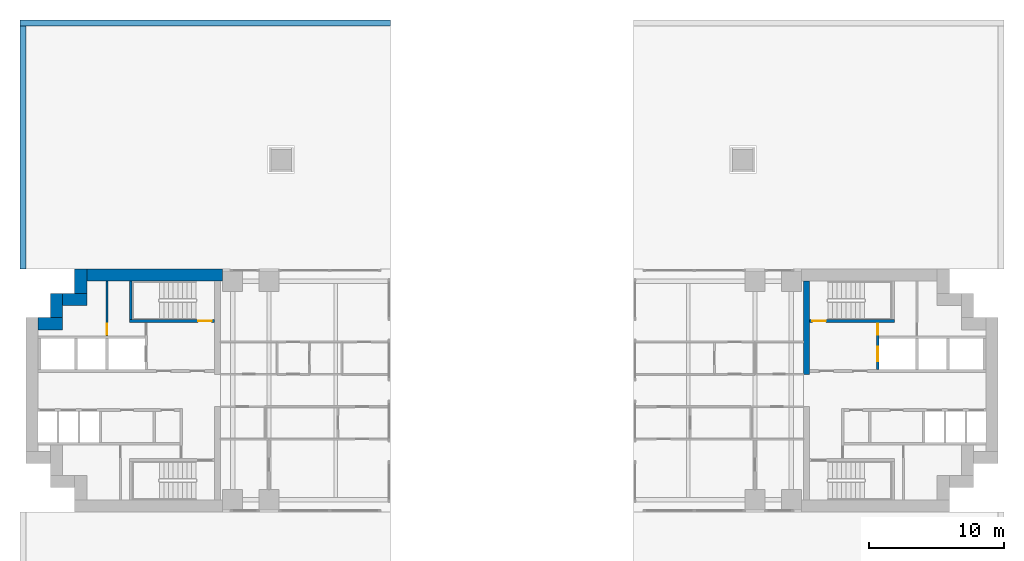
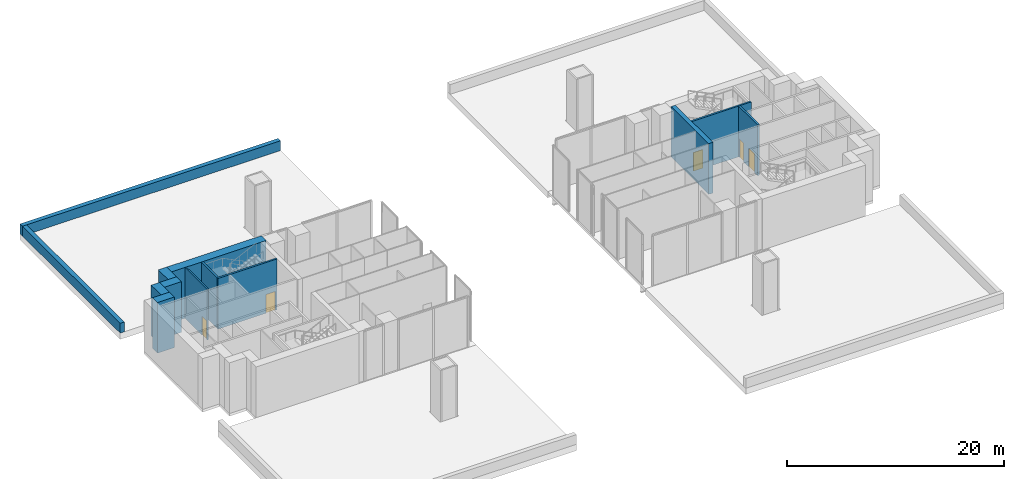
# One storey, part 8 of 13: 13 walls, 5 doors, 5 openings.
"""IFC4 building model written with IfcOpenShell, lengths in metres."""

from ifc_helpers import new_model, si_unit, direction, frame, frame_2d, origin, place, context, subcontext, project, spatial, rectangle, extrude, material, layer, layer_set, type_object, element, fill, save


model = new_model("IFC4")

# Units and contexts
model_context = context("Model", 3, precision=1e-05, world=origin(), true_north=direction((0.0, 1.0)))
body_context = subcontext(model_context, "Body", "Model", "MODEL_VIEW")
ifc_project = project(units=[si_unit("LENGTHUNIT", "METRE"), si_unit("AREAUNIT", "SQUARE_METRE"), si_unit("VOLUMEUNIT", "CUBIC_METRE"), si_unit("PLANEANGLEUNIT", "RADIAN"), si_unit("MASSUNIT", "GRAM", prefix="KILO")], contexts=[model_context])

# Site, building, storey
site_placement = place(None, origin())
site = spatial("IfcSite", under=ifc_project, at=site_placement, CompositionType="ELEMENT")
building_placement = place(site_placement, origin())
building = spatial("IfcBuilding", under=site, at=building_placement, Name="Perihelion Cross Residences", CompositionType="ELEMENT")
storey_placement = place(building_placement, frame((0.0, 0.0, 15.0)))
storey = spatial("IfcBuildingStorey", under=building, at=storey_placement, Name="L01", CompositionType="ELEMENT", Elevation=15.0)

# Walls
ifc_material_1 = material(Name="Concrete C60/75", Category="concrete")
ifc_layer_1 = layer(ifc_material_1, 0.449951171875)
ifc_layer_set_1 = layer_set([ifc_layer_1], Name="Core wall, inner 450")
wall_type_1 = type_object("IfcWallType", Name="Core wall, inner 450", PredefinedType="SHEAR", material=ifc_layer_set_1)
wall_1_placement = place(storey_placement, frame((21.824951171875, 1.199951171875, 0.0), z_axis=(0.0, 0.0, 1.0), x_axis=(0.0, 1.0, 0.0)))
element("IfcWall", 1, at=wall_1_placement, inside=storey, type_object=wall_type_1, Name="East core core wall, inner", PredefinedType="SHEAR", context=body_context, shape_type="SweptSolid", body=[
    extrude(rectangle(XDim=6.900146484375, YDim=0.449951171875, at=frame_2d((3.4501953125, 0.0))), origin(), (0.0, 0.0, 1.0), 5.699951171875),
])
ifc_material_2 = material(Name="Concrete C60/75", Category="concrete")
ifc_layer_2 = layer(ifc_material_2, 0.89990234375)
ifc_layer_set_2 = layer_set([ifc_layer_2], Name="Core wall, outer 900")
wall_type_2 = type_object("IfcWallType", Name="Core wall, outer 900", PredefinedType="SHEAR", material=ifc_layer_set_2)
for number, where, z_axis, x_axis, name in (
    (2, (-35.10009765625, 4.949951171875, 0.0), (0.0, 0.0, 1.0), (1.0, 0.0, 0.0), "West core core wall, outer"),
    (3, (-33.75, 5.39990234375, 0.0), (0.0, 0.0, 1.0), (0.0, 1.0, 0.0), "West core core wall, outer"),
    (4, (-33.300048828125, 6.75, 0.0), (0.0, 0.0, 1.0), (1.0, 0.0, 0.0), "West core core wall, outer"),
    (5, (-31.949951171875, 7.199951171875, 0.0), (0.0, 0.0, 1.0), (0.0, 1.0, 0.0), "West core core wall, outer"),
):
    element("IfcWall", number, at=place(storey_placement, frame(where, z_axis=z_axis, x_axis=x_axis)), inside=storey, type_object=wall_type_2, Name=name, PredefinedType="SHEAR", context=body_context, shape_type="SweptSolid", body=[
        extrude(rectangle(XDim=1.800048828125, YDim=0.89990234375, at=frame_2d((0.89990234375, 0.0))), origin(), (0.0, 0.0, 1.0), 5.699951171875),
    ])
wall_2_placement = place(storey_placement, frame((-31.5, 8.550048828125, 0.0), z_axis=(0.0, 0.0, 1.0), x_axis=(1.0, 0.0, 0.0)))
element("IfcWall", 6, at=wall_2_placement, inside=storey, type_object=wall_type_2, Name="West core core wall, outer", PredefinedType="SHEAR", context=body_context, shape_type="SweptSolid", body=[
    extrude(rectangle(XDim=10.050048828125, YDim=0.89990234375, at=frame_2d((5.02490234375, 0.0))), origin(), (0.0, 0.0, 1.0), 5.699951171875),
])
ifc_material_3 = material(Name="Concrete C40/50", Category="concrete")
ifc_layer_3 = layer(ifc_material_3, 0.449951171875)
ifc_layer_set_3 = layer_set([ifc_layer_3], Name="Loggia parapet 450")
wall_type_3 = type_object("IfcWallType", Name="Loggia parapet 450", PredefinedType="PARAPET", material=ifc_layer_set_3)
wall_3_placement = place(storey_placement, frame((-9.0, 27.22509765625, 0.0), z_axis=(0.0, 0.0, 1.0), x_axis=(-1.0, 0.0, 0.0)))
element("IfcWall", 7, at=wall_3_placement, inside=storey, type_object=wall_type_3, Name="Wall PP2 L01 loggia parapet north-west north-south", PredefinedType="PARAPET", context=body_context, shape_type="SweptSolid", body=[
    extrude(rectangle(XDim=27.449951171875, YDim=0.449951171875, at=frame_2d((13.72509765625, 0.0))), origin(), (0.0, 0.0, 1.0), 1.10009765625),
])
wall_4_placement = place(storey_placement, frame((-36.22509765625, 9.0, 0.0), z_axis=(0.0, 0.0, 1.0), x_axis=(0.0, 1.0, 0.0)))
element("IfcWall", 8, at=wall_4_placement, inside=storey, type_object=wall_type_3, Name="Wall PP2 L01 loggia parapet north-west east-west", PredefinedType="PARAPET", context=body_context, shape_type="SweptSolid", body=[
    extrude(rectangle(XDim=18.0, YDim=0.449951171875, at=frame_2d((9.0, 0.0))), origin(), (0.0, 0.0, 1.0), 1.10009765625),
])

# Wall, opening, door
ifc_material_4 = material(Name="Fire-rated board on steel stud", Category="steel")
ifc_layer_4 = layer(ifc_material_4, 0.14990234375)
ifc_layer_set_4 = layer_set([ifc_layer_4], Name="Riser wall 150")
wall_type_4 = type_object("IfcWallType", Name="Riser wall 150", PredefinedType="PARTITIONING", material=ifc_layer_set_4)
wall_5_placement = place(storey_placement, frame((-30.0, 4.050048828125, 0.0), z_axis=(0.0, 0.0, 1.0), x_axis=(0.0, 1.0, 0.0)))
wall_5 = element("IfcWall", 9, at=wall_5_placement, inside=storey, type_object=wall_type_4, Name="West core riser wall", PredefinedType="PARTITIONING", context=body_context, shape_type="SweptSolid", body=[
    extrude(rectangle(XDim=4.050048828125, YDim=0.14990234375, at=frame_2d((2.02490234375, 0.0))), origin(), (0.0, 0.0, 1.0), 5.699951171875),
])
opening_1_placement = place(wall_5_placement, frame((0.10009765625, 0.0, 0.0)))
opening_1 = element("IfcOpeningElement", 10, at=opening_1_placement, cuts=wall_5, Name="Opening L01.C28", PredefinedType="OPENING", context=body_context, shape_type="SweptSolid", body=[
    extrude(rectangle(XDim=0.800048828125, YDim=2.10009765625, at=frame_2d((0.39990234375, 1.050048828125))), frame((0.0, 0.0849609375, 0.0), z_axis=(0.0, -1.0, 0.0), x_axis=(1.0, 0.0, 0.0)), (0.0, 0.0, 1.0), 0.169921875),
])
ifc_material_5 = material(Name="Steel, powder coated", Category="steel")
door_type_1 = type_object("IfcDoorType", Name="Riser door 800", OperationType="SINGLE_SWING_LEFT", PredefinedType="DOOR", material=ifc_material_5)
door_1_placement = place(opening_1_placement, origin())
door_1 = element("IfcDoor", 11, at=door_1_placement, inside=storey, type_object=door_type_1, Name="West core riser door", OperationType="SINGLE_SWING_LEFT", OverallHeight=2.10009765625, OverallWidth=0.800048828125, PredefinedType="DOOR", context=body_context, shape_type="SweptSolid", body=[
    extrude(rectangle(XDim=0.800048828125, YDim=2.10009765625, at=frame_2d((0.39990234375, 1.050048828125))), frame((0.0, 0.02490234375, 0.0), z_axis=(0.0, -1.0, 0.0), x_axis=(1.0, 0.0, 0.0)), (0.0, 0.0, 1.0), 0.050048828125),
])
fill(opening_1, door_1)

# Wall, openings, doors
ifc_material_6 = material(Name="Concrete C50/60", Category="concrete")
ifc_layer_5 = layer(ifc_material_6, 0.199951171875)
ifc_layer_set_5 = layer_set([ifc_layer_5], Name="Shaft wall 200")
wall_type_5 = type_object("IfcWallType", Name="Shaft wall 200", PredefinedType="SOLIDWALL", material=ifc_layer_set_5)
wall_6_placement = place(storey_placement, frame((27.10009765625, 1.550048828125, 0.0), z_axis=(0.0, 0.0, 1.0), x_axis=(0.0, 1.0, 0.0)))
wall_6 = element("IfcWall", 12, at=wall_6_placement, inside=storey, type_object=wall_type_5, Name="East core shaft wall", PredefinedType="SOLIDWALL", context=body_context, shape_type="SweptSolid", body=[
    extrude(rectangle(XDim=3.5, YDim=0.199951171875, at=frame_2d((1.75, 0.0))), origin(), (0.0, 0.0, 1.0), 5.699951171875),
])
opening_2_placement = place(wall_6_placement, frame((0.60009765625, 0.0, 0.0)))
opening_2 = element("IfcOpeningElement", 13, at=opening_2_placement, cuts=wall_6, Name="Opening L01.C01", PredefinedType="OPENING", context=body_context, shape_type="SweptSolid", body=[
    extrude(rectangle(XDim=1.10009765625, YDim=2.10009765625, at=frame_2d((0.550048828125, 1.050048828125))), frame((0.0, 0.10986328125, 0.0), z_axis=(0.0, -1.0, 0.0), x_axis=(1.0, 0.0, 0.0)), (0.0, 0.0, 1.0), 0.219970703125),
])
opening_3_placement = place(wall_6_placement, frame((2.60009765625, 0.0, 0.0)))
opening_3 = element("IfcOpeningElement", 14, at=opening_3_placement, cuts=wall_6, Name="Opening L01.C11", PredefinedType="OPENING", context=body_context, shape_type="SweptSolid", body=[
    extrude(rectangle(XDim=0.800048828125, YDim=2.10009765625, at=frame_2d((0.39990234375, 1.050048828125))), frame((0.0, 0.10986328125, 0.0), z_axis=(0.0, -1.0, 0.0), x_axis=(1.0, 0.0, 0.0)), (0.0, 0.0, 1.0), 0.219970703125),
])
ifc_material_7 = material(Name="Stainless steel", Category="steel")
door_type_2 = type_object("IfcDoorType", Name="Landing door, firefighting lift 1100", OperationType="DOUBLE_DOOR_SLIDING", PredefinedType="DOOR", material=ifc_material_7)
door_2_placement = place(opening_2_placement, origin())
door_2 = element("IfcDoor", 15, at=door_2_placement, inside=storey, type_object=door_type_2, Name="Landing door, East core firefighting and service lift", OperationType="DOUBLE_DOOR_SLIDING", OverallHeight=2.10009765625, OverallWidth=1.10009765625, PredefinedType="DOOR", context=body_context, shape_type="SweptSolid", body=[
    extrude(rectangle(XDim=1.10009765625, YDim=2.10009765625, at=frame_2d((0.550048828125, 1.050048828125))), frame((0.0, 0.02490234375, 0.0), z_axis=(0.0, -1.0, 0.0), x_axis=(1.0, 0.0, 0.0)), (0.0, 0.0, 1.0), 0.050048828125),
])
fill(opening_2, door_2)
door_3_placement = place(opening_3_placement, origin())
door_3 = element("IfcDoor", 16, at=door_3_placement, inside=storey, type_object=door_type_1, Name="East core riser door", OperationType="SINGLE_SWING_LEFT", OverallHeight=2.10009765625, OverallWidth=0.800048828125, PredefinedType="DOOR", context=body_context, shape_type="SweptSolid", body=[
    extrude(rectangle(XDim=0.800048828125, YDim=2.10009765625, at=frame_2d((0.39990234375, 1.050048828125))), frame((0.0, 0.02490234375, 0.0), z_axis=(0.0, -1.0, 0.0), x_axis=(1.0, 0.0, 0.0)), (0.0, 0.0, 1.0), 0.050048828125),
])
fill(opening_3, door_3)

# Wall, opening, door
ifc_material_8 = material(Name="Concrete C50/60", Category="concrete")
ifc_layer_6 = layer(ifc_material_8, 0.199951171875)
ifc_layer_set_6 = layer_set([ifc_layer_6], Name="Stair wall 200")
wall_type_6 = type_object("IfcWallType", Name="Stair wall 200", PredefinedType="SOLIDWALL", material=ifc_layer_set_6)
wall_7_placement = place(storey_placement, frame((22.050048828125, 5.14990234375, 0.0), z_axis=(0.0, 0.0, 1.0), x_axis=(1.0, 0.0, 0.0)))
wall_7 = element("IfcWall", 17, at=wall_7_placement, inside=storey, type_object=wall_type_6, Name="East core stair wall", PredefinedType="SOLIDWALL", context=body_context, shape_type="SweptSolid", body=[
    extrude(rectangle(XDim=6.300048828125, YDim=0.199951171875, at=frame_2d((3.14990234375, 0.0))), origin(), (0.0, 0.0, 1.0), 5.699951171875),
])
opening_4_placement = place(wall_7_placement, frame((0.199951171875, 0.0, 0.0)))
opening_4 = element("IfcOpeningElement", 18, at=opening_4_placement, cuts=wall_7, Name="Opening L01.C06", PredefinedType="OPENING", context=body_context, shape_type="SweptSolid", body=[
    extrude(rectangle(XDim=1.0, YDim=2.10009765625, at=frame_2d((0.5, 1.050048828125))), frame((0.0, 0.10986328125, 0.0), z_axis=(0.0, -1.0, 0.0), x_axis=(1.0, 0.0, 0.0)), (0.0, 0.0, 1.0), 0.219970703125),
])
ifc_material_9 = material(Name="Steel, powder coated", Category="steel")
door_type_3 = type_object("IfcDoorType", Name="Stair door 1000", OperationType="SINGLE_SWING_LEFT", PredefinedType="DOOR", material=ifc_material_9)
door_4_placement = place(opening_4_placement, origin())
door_4 = element("IfcDoor", 19, at=door_4_placement, inside=storey, type_object=door_type_3, Name="East core stair door", OperationType="SINGLE_SWING_LEFT", OverallHeight=2.10009765625, OverallWidth=1.0, PredefinedType="DOOR", context=body_context, shape_type="SweptSolid", body=[
    extrude(rectangle(XDim=1.0, YDim=2.10009765625, at=frame_2d((0.5, 1.050048828125))), frame((0.0, 0.02490234375, 0.0), z_axis=(0.0, -1.0, 0.0), x_axis=(1.0, 0.0, 0.0)), (0.0, 0.0, 1.0), 0.050048828125),
])
fill(opening_4, door_4)

wall_8_placement = place(storey_placement, frame((-28.35009765625, 5.14990234375, 0.0), z_axis=(0.0, 0.0, 1.0), x_axis=(1.0, 0.0, 0.0)))
wall_8 = element("IfcWall", 20, at=wall_8_placement, inside=storey, type_object=wall_type_6, Name="West core stair wall", PredefinedType="SOLIDWALL", context=body_context, shape_type="SweptSolid", body=[
    extrude(rectangle(XDim=6.300048828125, YDim=0.199951171875, at=frame_2d((3.14990234375, 0.0))), origin(), (0.0, 0.0, 1.0), 5.699951171875),
])
opening_5_placement = place(wall_8_placement, frame((5.10009765625, 0.0, 0.0)))
opening_5 = element("IfcOpeningElement", 21, at=opening_5_placement, cuts=wall_8, Name="Opening L01.C20", PredefinedType="OPENING", context=body_context, shape_type="SweptSolid", body=[
    extrude(rectangle(XDim=1.0, YDim=2.10009765625, at=frame_2d((0.5, 1.050048828125))), frame((0.0, 0.10986328125, 0.0), z_axis=(0.0, -1.0, 0.0), x_axis=(1.0, 0.0, 0.0)), (0.0, 0.0, 1.0), 0.219970703125),
])
door_5_placement = place(opening_5_placement, origin())
door_5 = element("IfcDoor", 22, at=door_5_placement, inside=storey, type_object=door_type_3, Name="West core stair door", OperationType="SINGLE_SWING_LEFT", OverallHeight=2.10009765625, OverallWidth=1.0, PredefinedType="DOOR", context=body_context, shape_type="SweptSolid", body=[
    extrude(rectangle(XDim=1.0, YDim=2.10009765625, at=frame_2d((0.5, 1.050048828125))), frame((0.0, 0.02490234375, 0.0), z_axis=(0.0, -1.0, 0.0), x_axis=(1.0, 0.0, 0.0)), (0.0, 0.0, 1.0), 0.050048828125),
])
fill(opening_5, door_5)

# Wall
wall_9_placement = place(storey_placement, frame((-28.25, 5.25, 0.0), z_axis=(0.0, 0.0, 1.0), x_axis=(0.0, 1.0, 0.0)))
element("IfcWall", 23, at=wall_9_placement, inside=storey, type_object=wall_type_6, Name="West core stair wall", PredefinedType="SOLIDWALL", context=body_context, shape_type="SweptSolid", body=[
    extrude(rectangle(XDim=2.85009765625, YDim=0.199951171875, at=frame_2d((1.425048828125, 0.0))), origin(), (0.0, 0.0, 1.0), 5.699951171875),
])

save(model, "model.ifc")
